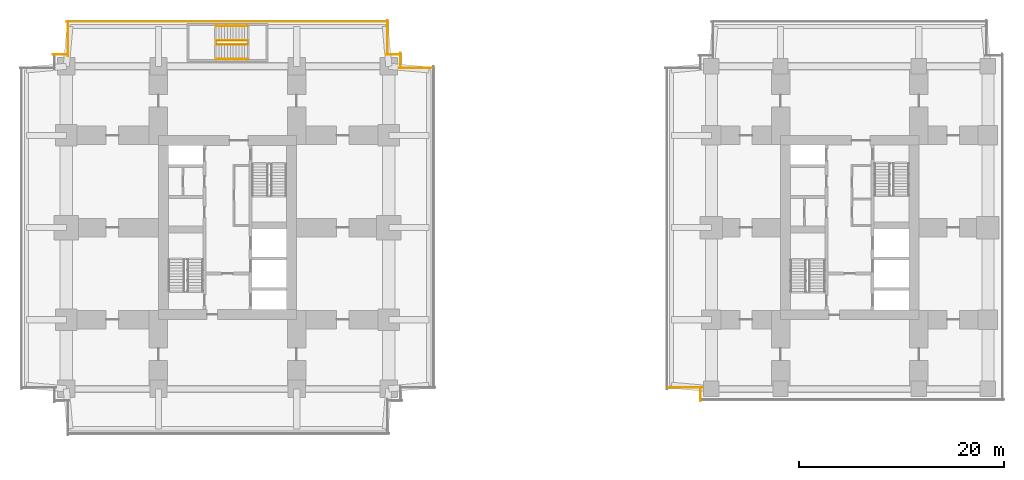
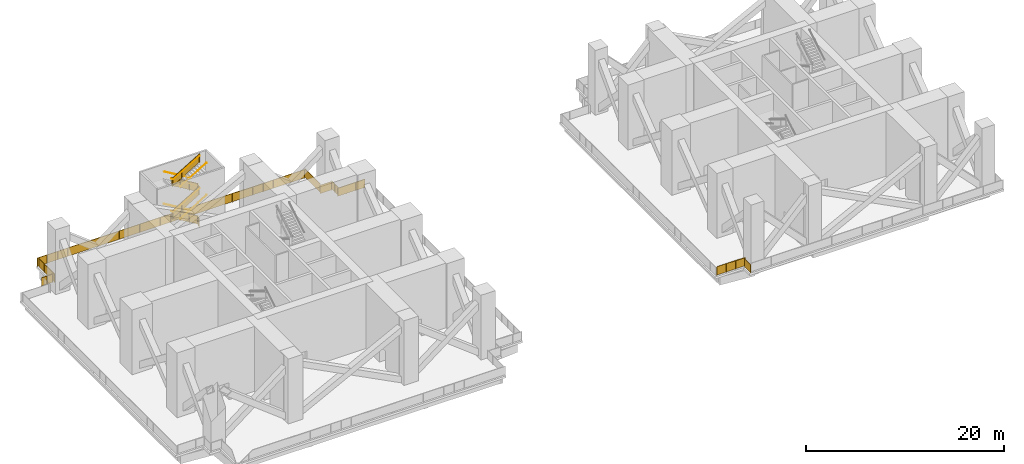
# One storey, part 9 of 11: 18 railings.
"""IFC4 building model written with IfcOpenShell, lengths in metres."""

from ifc_helpers import new_model, si_unit, direction, frame, origin, origin_2d, place, context, subcontext, project, spatial, polyline, circle, outline, extrude, material, type_object, element, save


model = new_model("IFC4")

# Units and contexts
model_context = context("Model", 3, precision=1e-05, world=origin(), true_north=direction((0.0, 1.0)))
body_context = subcontext(model_context, "Body", "Model", "MODEL_VIEW")
ifc_project = project(units=[si_unit("LENGTHUNIT", "METRE"), si_unit("AREAUNIT", "SQUARE_METRE"), si_unit("VOLUMEUNIT", "CUBIC_METRE"), si_unit("PLANEANGLEUNIT", "RADIAN"), si_unit("MASSUNIT", "GRAM", prefix="KILO")], contexts=[model_context])

# Site, building, storey
site_placement = place(None, origin())
site = spatial("IfcSite", under=ifc_project, at=site_placement, CompositionType="ELEMENT")
building_placement = place(site_placement, origin())
building = spatial("IfcBuilding", under=site, at=building_placement, Name="Namib Vertical Campus", CompositionType="ELEMENT")
storey_placement = place(building_placement, frame((0.0, 0.0, 169.0)))
storey = spatial("IfcBuildingStorey", under=building, at=storey_placement, Name="L40", CompositionType="ELEMENT", Elevation=169.0)

# Railings
ifc_material_1 = material(Name="Toughened glass balustrade", Category="glass")
railing_type_1 = type_object("IfcRailingType", Name="Edge guard 1100", PredefinedType="GUARDRAIL", material=ifc_material_1)
railing_1_placement = place(storey_placement, frame((40.199951171875, 35.85009765625, 0.0)))
element("IfcRailing", 1, at=railing_1_placement, inside=storey, type_object=railing_type_1, Name="Refuge edge guard GR2 A L40 7", PredefinedType="GUARDRAIL", context=body_context, shape_type="SweptSolid", body=[
    extrude(circle(Radius=0.02392578125, at=origin_2d()), frame((0.0, 0.0, 1.076171875), z_axis=(-1.0, 0.0, 0.0), x_axis=(0.0, -1.0, 0.0)), (0.0, 0.0, 1.0), 3.199951171875),
    extrude(outline(polyline([(0.02099609375, 0.050048828125), (3.178955078125, 0.050048828125), (3.178955078125, 1.052001953125), (0.02099609375, 1.052001953125), (0.02099609375, 0.050048828125)])), frame((0.0, -0.0107421875, 0.0), z_axis=(0.0, 1.0, 0.0), x_axis=(-1.0, 0.0, 0.0)), (0.0, 0.0, 1.0), 0.021484375),
    extrude(circle(Radius=0.02099609375, at=origin_2d()), origin(), (0.0, 0.0, 1.0), 1.052001953125),
    extrude(circle(Radius=0.02099609375, at=origin_2d()), frame((-1.066650390625, 0.0, 0.0)), (0.0, 0.0, 1.0), 1.052001953125),
    extrude(circle(Radius=0.02099609375, at=origin_2d()), frame((-2.13330078125, 0.0, 0.0)), (0.0, 0.0, 1.0), 1.052001953125),
    extrude(circle(Radius=0.02099609375, at=origin_2d()), frame((-3.199951171875, 0.0, 0.0)), (0.0, 0.0, 1.0), 1.052001953125),
])
railing_2_placement = place(storey_placement, frame((37.14990234375, 36.0, 0.0)))
element("IfcRailing", 2, at=railing_2_placement, inside=storey, type_object=railing_type_1, Name="Refuge edge guard GR2 A L40 8", PredefinedType="GUARDRAIL", context=body_context, shape_type="SweptSolid", body=[
    extrude(circle(Radius=0.02392578125, at=origin_2d()), frame((0.0, 0.0, 1.076171875), z_axis=(0.0, 1.0, 0.0), x_axis=(-1.0, 0.0, 0.0)), (0.0, 0.0, 1.0), 1.300048828125),
    extrude(outline(polyline([(0.02099609375, 0.050048828125), (1.279052734375, 0.050048828125), (1.279052734375, 1.052001953125), (0.02099609375, 1.052001953125), (0.02099609375, 0.050048828125)])), frame((-0.0107421875, 0.0, 0.0), z_axis=(1.0, 0.0, 0.0), x_axis=(0.0, 1.0, 0.0)), (0.0, 0.0, 1.0), 0.021484375),
    extrude(circle(Radius=0.02099609375, at=origin_2d()), origin(), (0.0, 0.0, 1.0), 1.052001953125),
    extrude(circle(Radius=0.02099609375, at=origin_2d()), frame((0.0, 0.64990234375, 0.0)), (0.0, 0.0, 1.0), 1.052001953125),
    extrude(circle(Radius=0.02099609375, at=origin_2d()), frame((0.0, 1.300048828125, 0.0)), (0.0, 0.0, 1.0), 1.052001953125),
])
railing_3_placement = place(storey_placement, frame((37.0, 37.14990234375, 0.0)))
element("IfcRailing", 3, at=railing_3_placement, inside=storey, type_object=railing_type_1, Name="Refuge edge guard GR2 A L40 9", PredefinedType="GUARDRAIL", context=body_context, shape_type="SweptSolid", body=[
    extrude(circle(Radius=0.02392578125, at=origin_2d()), frame((0.0, 0.0, 1.076171875), z_axis=(-1.0, 0.0, 0.0), x_axis=(0.0, -1.0, 0.0)), (0.0, 0.0, 1.0), 1.300048828125),
    extrude(outline(polyline([(0.02099609375, 0.050048828125), (1.279052734375, 0.050048828125), (1.279052734375, 1.052001953125), (0.02099609375, 1.052001953125), (0.02099609375, 0.050048828125)])), frame((0.0, -0.0107421875, 0.0), z_axis=(0.0, 1.0, 0.0), x_axis=(-1.0, 0.0, 0.0)), (0.0, 0.0, 1.0), 0.021484375),
    extrude(circle(Radius=0.02099609375, at=origin_2d()), origin(), (0.0, 0.0, 1.0), 1.052001953125),
    extrude(circle(Radius=0.02099609375, at=origin_2d()), frame((-0.64990234375, 0.0, 0.0)), (0.0, 0.0, 1.0), 1.052001953125),
    extrude(circle(Radius=0.02099609375, at=origin_2d()), frame((-1.300048828125, 0.0, 0.0)), (0.0, 0.0, 1.0), 1.052001953125),
])
railing_4_placement = place(storey_placement, frame((35.85009765625, 37.300048828125, 0.0)))
element("IfcRailing", 4, at=railing_4_placement, inside=storey, type_object=railing_type_1, Name="Refuge edge guard GR2 A L40 10", PredefinedType="GUARDRAIL", context=body_context, shape_type="SweptSolid", body=[
    extrude(circle(Radius=0.02392578125, at=origin_2d()), frame((0.0, 0.0, 1.076171875), z_axis=(0.0, 1.0, 0.0), x_axis=(-1.0, 0.0, 0.0)), (0.0, 0.0, 1.0), 3.199951171875),
    extrude(outline(polyline([(0.02099609375, 0.050048828125), (3.178955078125, 0.050048828125), (3.178955078125, 1.052001953125), (0.02099609375, 1.052001953125), (0.02099609375, 0.050048828125)])), frame((-0.0107421875, 0.0, 0.0), z_axis=(1.0, 0.0, 0.0), x_axis=(0.0, 1.0, 0.0)), (0.0, 0.0, 1.0), 0.021484375),
    extrude(circle(Radius=0.02099609375, at=origin_2d()), origin(), (0.0, 0.0, 1.0), 1.052001953125),
    extrude(circle(Radius=0.02099609375, at=origin_2d()), frame((0.0, 1.066650390625, 0.0)), (0.0, 0.0, 1.0), 1.052001953125),
    extrude(circle(Radius=0.02099609375, at=origin_2d()), frame((0.0, 2.13330078125, 0.0)), (0.0, 0.0, 1.0), 1.052001953125),
    extrude(circle(Radius=0.02099609375, at=origin_2d()), frame((0.0, 3.199951171875, 0.0)), (0.0, 0.0, 1.0), 1.052001953125),
])
railing_5_placement = place(storey_placement, frame((35.699951171875, 40.35009765625, 0.0)))
element("IfcRailing", 5, at=railing_5_placement, inside=storey, type_object=railing_type_1, Name="Refuge edge guard GR2 A L40 11", PredefinedType="GUARDRAIL", context=body_context, shape_type="SweptSolid", body=[
    extrude(circle(Radius=0.02392578125, at=origin_2d()), frame((0.0, 0.0, 1.076171875), z_axis=(-1.0, 0.0, 0.0), x_axis=(0.0, -1.0, 0.0)), (0.0, 0.0, 1.0), 31.199951171875),
    extrude(outline(polyline([(0.02099609375, 0.050048828125), (31.178955078125, 0.050048828125), (31.178955078125, 1.052001953125), (0.02099609375, 1.052001953125), (0.02099609375, 0.050048828125)])), frame((0.0, -0.0107421875, 0.0), z_axis=(0.0, 1.0, 0.0), x_axis=(-1.0, 0.0, 0.0)), (0.0, 0.0, 1.0), 0.021484375),
    extrude(circle(Radius=0.02099609375, at=origin_2d()), origin(), (0.0, 0.0, 1.0), 1.052001953125),
    extrude(circle(Radius=0.02099609375, at=origin_2d()), frame((-1.199951171875, 0.0, 0.0)), (0.0, 0.0, 1.0), 1.052001953125),
    extrude(circle(Radius=0.02099609375, at=origin_2d()), frame((-2.39990234375, 0.0, 0.0)), (0.0, 0.0, 1.0), 1.052001953125),
    extrude(circle(Radius=0.02099609375, at=origin_2d()), frame((-3.60009765625, 0.0, 0.0)), (0.0, 0.0, 1.0), 1.052001953125),
    extrude(circle(Radius=0.02099609375, at=origin_2d()), frame((-4.800048828125, 0.0, 0.0)), (0.0, 0.0, 1.0), 1.052001953125),
    extrude(circle(Radius=0.02099609375, at=origin_2d()), frame((-6.0, 0.0, 0.0)), (0.0, 0.0, 1.0), 1.052001953125),
    extrude(circle(Radius=0.02099609375, at=origin_2d()), frame((-7.199951171875, 0.0, 0.0)), (0.0, 0.0, 1.0), 1.052001953125),
    extrude(circle(Radius=0.02099609375, at=origin_2d()), frame((-8.39990234375, 0.0, 0.0)), (0.0, 0.0, 1.0), 1.052001953125),
    extrude(circle(Radius=0.02099609375, at=origin_2d()), frame((-9.60009765625, 0.0, 0.0)), (0.0, 0.0, 1.0), 1.052001953125),
    extrude(circle(Radius=0.02099609375, at=origin_2d()), frame((-10.800048828125, 0.0, 0.0)), (0.0, 0.0, 1.0), 1.052001953125),
    extrude(circle(Radius=0.02099609375, at=origin_2d()), frame((-12.0, 0.0, 0.0)), (0.0, 0.0, 1.0), 1.052001953125),
    extrude(circle(Radius=0.02099609375, at=origin_2d()), frame((-13.199951171875, 0.0, 0.0)), (0.0, 0.0, 1.0), 1.052001953125),
    extrude(circle(Radius=0.02099609375, at=origin_2d()), frame((-14.39990234375, 0.0, 0.0)), (0.0, 0.0, 1.0), 1.052001953125),
    extrude(circle(Radius=0.02099609375, at=origin_2d()), frame((-15.60009765625, 0.0, 0.0)), (0.0, 0.0, 1.0), 1.052001953125),
    extrude(circle(Radius=0.02099609375, at=origin_2d()), frame((-16.800048828125, 0.0, 0.0)), (0.0, 0.0, 1.0), 1.052001953125),
    extrude(circle(Radius=0.02099609375, at=origin_2d()), frame((-18.0, 0.0, 0.0)), (0.0, 0.0, 1.0), 1.052001953125),
    extrude(circle(Radius=0.02099609375, at=origin_2d()), frame((-19.199951171875, 0.0, 0.0)), (0.0, 0.0, 1.0), 1.052001953125),
    extrude(circle(Radius=0.02099609375, at=origin_2d()), frame((-20.39990234375, 0.0, 0.0)), (0.0, 0.0, 1.0), 1.052001953125),
    extrude(circle(Radius=0.02099609375, at=origin_2d()), frame((-21.599853515625, 0.0, 0.0)), (0.0, 0.0, 1.0), 1.052001953125),
    extrude(circle(Radius=0.02099609375, at=origin_2d()), frame((-22.800048828125, 0.0, 0.0)), (0.0, 0.0, 1.0), 1.052001953125),
    extrude(circle(Radius=0.02099609375, at=origin_2d()), frame((-24.0, 0.0, 0.0)), (0.0, 0.0, 1.0), 1.052001953125),
    extrude(circle(Radius=0.02099609375, at=origin_2d()), frame((-25.199951171875, 0.0, 0.0)), (0.0, 0.0, 1.0), 1.052001953125),
    extrude(circle(Radius=0.02099609375, at=origin_2d()), frame((-26.39990234375, 0.0, 0.0)), (0.0, 0.0, 1.0), 1.052001953125),
    extrude(circle(Radius=0.02099609375, at=origin_2d()), frame((-27.599853515625, 0.0, 0.0)), (0.0, 0.0, 1.0), 1.052001953125),
    extrude(circle(Radius=0.02099609375, at=origin_2d()), frame((-28.800048828125, 0.0, 0.0)), (0.0, 0.0, 1.0), 1.052001953125),
    extrude(circle(Radius=0.02099609375, at=origin_2d()), frame((-30.0, 0.0, 0.0)), (0.0, 0.0, 1.0), 1.052001953125),
    extrude(circle(Radius=0.02099609375, at=origin_2d()), frame((-31.199951171875, 0.0, 0.0)), (0.0, 0.0, 1.0), 1.052001953125),
])
railing_6_placement = place(storey_placement, frame((4.64990234375, 40.199951171875, 0.0)))
element("IfcRailing", 6, at=railing_6_placement, inside=storey, type_object=railing_type_1, Name="Refuge edge guard GR2 A L40 12", PredefinedType="GUARDRAIL", context=body_context, shape_type="SweptSolid", body=[
    extrude(circle(Radius=0.02392578125, at=origin_2d()), frame((0.0, 0.0, 1.076171875), z_axis=(0.0, -1.0, 0.0), x_axis=(1.0, 0.0, 0.0)), (0.0, 0.0, 1.0), 3.199951171875),
    extrude(outline(polyline([(0.02099609375, 0.050048828125), (3.178955078125, 0.050048828125), (3.178955078125, 1.052001953125), (0.02099609375, 1.052001953125), (0.02099609375, 0.050048828125)])), frame((0.0107421875, 0.0, 0.0), z_axis=(-1.0, 0.0, 0.0), x_axis=(0.0, -1.0, 0.0)), (0.0, 0.0, 1.0), 0.021484375),
    extrude(circle(Radius=0.02099609375, at=origin_2d()), origin(), (0.0, 0.0, 1.0), 1.052001953125),
    extrude(circle(Radius=0.02099609375, at=origin_2d()), frame((0.0, -1.066650390625, 0.0)), (0.0, 0.0, 1.0), 1.052001953125),
    extrude(circle(Radius=0.02099609375, at=origin_2d()), frame((0.0, -2.13330078125, 0.0)), (0.0, 0.0, 1.0), 1.052001953125),
    extrude(circle(Radius=0.02099609375, at=origin_2d()), frame((0.0, -3.199951171875, 0.0)), (0.0, 0.0, 1.0), 1.052001953125),
])
railing_7_placement = place(storey_placement, frame((4.5, 37.14990234375, 0.0)))
element("IfcRailing", 7, at=railing_7_placement, inside=storey, type_object=railing_type_1, Name="Refuge edge guard GR2 A L40 13", PredefinedType="GUARDRAIL", context=body_context, shape_type="SweptSolid", body=[
    extrude(circle(Radius=0.02392578125, at=origin_2d()), frame((0.0, 0.0, 1.076171875), z_axis=(-1.0, 0.0, 0.0), x_axis=(0.0, -1.0, 0.0)), (0.0, 0.0, 1.0), 1.300048828125),
    extrude(outline(polyline([(0.02099609375, 0.050048828125), (1.279052734375, 0.050048828125), (1.279052734375, 1.052001953125), (0.02099609375, 1.052001953125), (0.02099609375, 0.050048828125)])), frame((0.0, -0.0107421875, 0.0), z_axis=(0.0, 1.0, 0.0), x_axis=(-1.0, 0.0, 0.0)), (0.0, 0.0, 1.0), 0.021484375),
    extrude(circle(Radius=0.02099609375, at=origin_2d()), origin(), (0.0, 0.0, 1.0), 1.052001953125),
    extrude(circle(Radius=0.02099609375, at=origin_2d()), frame((-0.64990234375, 0.0, 0.0)), (0.0, 0.0, 1.0), 1.052001953125),
    extrude(circle(Radius=0.02099609375, at=origin_2d()), frame((-1.300048828125, 0.0, 0.0)), (0.0, 0.0, 1.0), 1.052001953125),
])
railing_8_placement = place(storey_placement, frame((63.300048828125, 4.64990234375, 0.0)))
element("IfcRailing", 8, at=railing_8_placement, inside=storey, type_object=railing_type_1, Name="Refuge edge guard GR2 B L40 1", PredefinedType="GUARDRAIL", context=body_context, shape_type="SweptSolid", body=[
    extrude(circle(Radius=0.02392578125, at=origin_2d()), frame((0.0, 0.0, 1.076171875), z_axis=(1.0, 0.0, 0.0), x_axis=(0.0, 1.0, 0.0)), (0.0, 0.0, 1.0), 3.300048828125),
    extrude(outline(polyline([(0.02099609375, 0.050048828125), (3.279052734375, 0.050048828125), (3.279052734375, 1.052001953125), (0.02099609375, 1.052001953125), (0.02099609375, 0.050048828125)])), frame((0.0, 0.0107421875, 0.0), z_axis=(0.0, -1.0, 0.0), x_axis=(1.0, 0.0, 0.0)), (0.0, 0.0, 1.0), 0.021484375),
    extrude(circle(Radius=0.02099609375, at=origin_2d()), origin(), (0.0, 0.0, 1.0), 1.052001953125),
    extrude(circle(Radius=0.02099609375, at=origin_2d()), frame((1.10009765625, 0.0, 0.0)), (0.0, 0.0, 1.0), 1.052001953125),
    extrude(circle(Radius=0.02099609375, at=origin_2d()), frame((2.199951171875, 0.0, 0.0)), (0.0, 0.0, 1.0), 1.052001953125),
    extrude(circle(Radius=0.02099609375, at=origin_2d()), frame((3.300048828125, 0.0, 0.0)), (0.0, 0.0, 1.0), 1.052001953125),
])
railing_9_placement = place(storey_placement, frame((66.449951171875, 4.5, 0.0)))
element("IfcRailing", 9, at=railing_9_placement, inside=storey, type_object=railing_type_1, Name="Refuge edge guard GR2 B L40 2", PredefinedType="GUARDRAIL", context=body_context, shape_type="SweptSolid", body=[
    extrude(circle(Radius=0.02392578125, at=origin_2d()), frame((0.0, 0.0, 1.076171875), z_axis=(0.0, -1.0, 0.0), x_axis=(1.0, 0.0, 0.0)), (0.0, 0.0, 1.0), 1.199951171875),
    extrude(outline(polyline([(0.02099609375, 0.050048828125), (1.178955078125, 0.050048828125), (1.178955078125, 1.052001953125), (0.02099609375, 1.052001953125), (0.02099609375, 0.050048828125)])), frame((0.0107421875, 0.0, 0.0), z_axis=(-1.0, 0.0, 0.0), x_axis=(0.0, -1.0, 0.0)), (0.0, 0.0, 1.0), 0.021484375),
    extrude(circle(Radius=0.02099609375, at=origin_2d()), origin(), (0.0, 0.0, 1.0), 1.052001953125),
    extrude(circle(Radius=0.02099609375, at=origin_2d()), frame((0.0, -1.199951171875, 0.0)), (0.0, 0.0, 1.0), 1.052001953125),
])
ifc_material_2 = material(Name="Steel handrail", Category="steel")
railing_type_2 = type_object("IfcRailingType", Name="Handrail 900", PredefinedType="HANDRAIL", material=ifc_material_2)
railing_10_placement = place(storey_placement, frame((22.199951171875, 39.949951171875, 0.166748046875)))
element("IfcRailing", 10, at=railing_10_placement, inside=storey, type_object=railing_type_2, Name="Handrail HR1 A-S3 L40 1", PredefinedType="HANDRAIL", context=body_context, shape_type="SweptSolid", body=[
    extrude(circle(Radius=0.02392578125, at=origin_2d()), frame((0.0, 0.0, 0.8759765625), z_axis=(-0.859290745958, 0.0, 0.51148745235), x_axis=(0.0, -1.0, 0.0)), (0.0, 0.0, 1.0), 3.584228515625),
    extrude(circle(Radius=0.008056640625, at=origin_2d()), frame((0.0, 0.0, 0.8759765625), z_axis=(0.0, 1.0, 0.0), x_axis=(0.0, 0.0, 1.0)), (0.0, 0.0, 1.0), 0.050048828125),
    extrude(circle(Radius=0.008056640625, at=origin_2d()), frame((-1.026611328125, 0.0, 1.48681640625), z_axis=(0.0, 1.0, 0.0), x_axis=(0.0, 0.0, 1.0)), (0.0, 0.0, 1.0), 0.050048828125),
    extrude(circle(Radius=0.008056640625, at=origin_2d()), frame((-2.05322265625, 0.0, 2.09814453125), z_axis=(0.0, 1.0, 0.0), x_axis=(0.0, 0.0, 1.0)), (0.0, 0.0, 1.0), 0.050048828125),
    extrude(circle(Radius=0.008056640625, at=origin_2d()), frame((-3.079833984375, 0.0, 2.708984375), z_axis=(0.0, 1.0, 0.0), x_axis=(0.0, 0.0, 1.0)), (0.0, 0.0, 1.0), 0.050048828125),
])
railing_11_placement = place(storey_placement, frame((19.1201171875, 36.699951171875, 2.166748046875)))
element("IfcRailing", 11, at=railing_11_placement, inside=storey, type_object=railing_type_2, Name="Handrail HR1 A-S3 L40 2", PredefinedType="HANDRAIL", context=body_context, shape_type="SweptSolid", body=[
    extrude(circle(Radius=0.02392578125, at=origin_2d()), frame((0.0, 0.0, 0.8759765625), z_axis=(0.859290745958, 0.0, 0.51148745235), x_axis=(0.0, 1.0, 0.0)), (0.0, 0.0, 1.0), 3.584228515625),
    extrude(circle(Radius=0.008056640625, at=origin_2d()), frame((0.0, 0.0, 0.8759765625), z_axis=(0.0, -1.0, 0.0), x_axis=(0.0, 0.0, 1.0)), (0.0, 0.0, 1.0), 0.050048828125),
    extrude(circle(Radius=0.008056640625, at=origin_2d()), frame((1.026611328125, 0.0, 1.48681640625), z_axis=(0.0, -1.0, 0.0), x_axis=(0.0, 0.0, 1.0)), (0.0, 0.0, 1.0), 0.050048828125),
    extrude(circle(Radius=0.008056640625, at=origin_2d()), frame((2.05322265625, 0.0, 2.09814453125), z_axis=(0.0, -1.0, 0.0), x_axis=(0.0, 0.0, 1.0)), (0.0, 0.0, 1.0), 0.050048828125),
    extrude(circle(Radius=0.008056640625, at=origin_2d()), frame((3.079833984375, 0.0, 2.708984375), z_axis=(0.0, -1.0, 0.0), x_axis=(0.0, 0.0, 1.0)), (0.0, 0.0, 1.0), 0.050048828125),
])
railing_12_placement = place(storey_placement, frame((22.199951171875, 39.949951171875, 4.166748046875)))
element("IfcRailing", 12, at=railing_12_placement, inside=storey, type_object=railing_type_2, Name="Handrail HR1 A-S3 L40 3", PredefinedType="HANDRAIL", context=body_context, shape_type="SweptSolid", body=[
    extrude(circle(Radius=0.02392578125, at=origin_2d()), frame((0.0, 0.0, 0.8759765625), z_axis=(-0.859290745958, 0.0, 0.51148745235), x_axis=(0.0, -1.0, 0.0)), (0.0, 0.0, 1.0), 3.584228515625),
    extrude(circle(Radius=0.008056640625, at=origin_2d()), frame((0.0, 0.0, 0.8759765625), z_axis=(0.0, 1.0, 0.0), x_axis=(0.0, 0.0, 1.0)), (0.0, 0.0, 1.0), 0.050048828125),
    extrude(circle(Radius=0.008056640625, at=origin_2d()), frame((-1.026611328125, 0.0, 1.48681640625), z_axis=(0.0, 1.0, 0.0), x_axis=(0.0, 0.0, 1.0)), (0.0, 0.0, 1.0), 0.050048828125),
    extrude(circle(Radius=0.008056640625, at=origin_2d()), frame((-2.05322265625, 0.0, 2.09814453125), z_axis=(0.0, 1.0, 0.0), x_axis=(0.0, 0.0, 1.0)), (0.0, 0.0, 1.0), 0.050048828125),
    extrude(circle(Radius=0.008056640625, at=origin_2d()), frame((-3.079833984375, 0.0, 2.708984375), z_axis=(0.0, 1.0, 0.0), x_axis=(0.0, 0.0, 1.0)), (0.0, 0.0, 1.0), 0.050048828125),
])
railing_13_placement = place(storey_placement, frame((19.1201171875, 36.699951171875, 6.166748046875)))
element("IfcRailing", 13, at=railing_13_placement, inside=storey, type_object=railing_type_2, Name="Handrail HR1 A-S3 L40 4", PredefinedType="HANDRAIL", context=body_context, shape_type="SweptSolid", body=[
    extrude(circle(Radius=0.02392578125, at=origin_2d()), frame((0.0, 0.0, 0.8759765625), z_axis=(0.859290745958, 0.0, 0.51148745235), x_axis=(0.0, 1.0, 0.0)), (0.0, 0.0, 1.0), 3.584228515625),
    extrude(circle(Radius=0.008056640625, at=origin_2d()), frame((0.0, 0.0, 0.8759765625), z_axis=(0.0, -1.0, 0.0), x_axis=(0.0, 0.0, 1.0)), (0.0, 0.0, 1.0), 0.050048828125),
    extrude(circle(Radius=0.008056640625, at=origin_2d()), frame((1.026611328125, 0.0, 1.48681640625), z_axis=(0.0, -1.0, 0.0), x_axis=(0.0, 0.0, 1.0)), (0.0, 0.0, 1.0), 0.050048828125),
    extrude(circle(Radius=0.008056640625, at=origin_2d()), frame((2.05322265625, 0.0, 2.09814453125), z_axis=(0.0, -1.0, 0.0), x_axis=(0.0, 0.0, 1.0)), (0.0, 0.0, 1.0), 0.050048828125),
    extrude(circle(Radius=0.008056640625, at=origin_2d()), frame((3.079833984375, 0.0, 2.708984375), z_axis=(0.0, -1.0, 0.0), x_axis=(0.0, 0.0, 1.0)), (0.0, 0.0, 1.0), 0.050048828125),
])
railing_14_placement = place(storey_placement, frame((22.199951171875, 38.52490234375, 0.166748046875)))
element("IfcRailing", 14, at=railing_14_placement, inside=storey, type_object=railing_type_2, Name="Handrail HR1 A-S3 L40 1 at the well", PredefinedType="HANDRAIL", context=body_context, shape_type="SweptSolid", body=[
    extrude(circle(Radius=0.02392578125, at=origin_2d()), frame((0.0, 0.0, 0.8759765625), z_axis=(-0.859290745958, 0.0, 0.51148745235), x_axis=(0.0, -1.0, 0.0)), (0.0, 0.0, 1.0), 3.584228515625),
    extrude(circle(Radius=0.008056640625, at=origin_2d()), frame((0.0, 0.0, 0.8759765625), z_axis=(0.0, -1.0, 0.0), x_axis=(0.0, 0.0, 1.0)), (0.0, 0.0, 1.0), 0.0400390625),
    extrude(circle(Radius=0.008056640625, at=origin_2d()), frame((-1.026611328125, 0.0, 1.48681640625), z_axis=(0.0, -1.0, 0.0), x_axis=(0.0, 0.0, 1.0)), (0.0, 0.0, 1.0), 0.0400390625),
    extrude(circle(Radius=0.008056640625, at=origin_2d()), frame((-2.05322265625, 0.0, 2.09814453125), z_axis=(0.0, -1.0, 0.0), x_axis=(0.0, 0.0, 1.0)), (0.0, 0.0, 1.0), 0.0400390625),
    extrude(circle(Radius=0.008056640625, at=origin_2d()), frame((-3.079833984375, 0.0, 2.708984375), z_axis=(0.0, -1.0, 0.0), x_axis=(0.0, 0.0, 1.0)), (0.0, 0.0, 1.0), 0.0400390625),
])
railing_15_placement = place(storey_placement, frame((19.1201171875, 38.125, 2.166748046875)))
element("IfcRailing", 15, at=railing_15_placement, inside=storey, type_object=railing_type_2, Name="Handrail HR1 A-S3 L40 2 at the well", PredefinedType="HANDRAIL", context=body_context, shape_type="SweptSolid", body=[
    extrude(circle(Radius=0.02392578125, at=origin_2d()), frame((0.0, 0.0, 0.8759765625), z_axis=(0.859290745958, 0.0, 0.51148745235), x_axis=(0.0, 1.0, 0.0)), (0.0, 0.0, 1.0), 3.584228515625),
    extrude(circle(Radius=0.008056640625, at=origin_2d()), frame((0.0, 0.0, 0.8759765625), z_axis=(0.0, 1.0, 0.0), x_axis=(0.0, 0.0, 1.0)), (0.0, 0.0, 1.0), 0.0400390625),
    extrude(circle(Radius=0.008056640625, at=origin_2d()), frame((1.026611328125, 0.0, 1.48681640625), z_axis=(0.0, 1.0, 0.0), x_axis=(0.0, 0.0, 1.0)), (0.0, 0.0, 1.0), 0.0400390625),
    extrude(circle(Radius=0.008056640625, at=origin_2d()), frame((2.05322265625, 0.0, 2.09814453125), z_axis=(0.0, 1.0, 0.0), x_axis=(0.0, 0.0, 1.0)), (0.0, 0.0, 1.0), 0.0400390625),
    extrude(circle(Radius=0.008056640625, at=origin_2d()), frame((3.079833984375, 0.0, 2.708984375), z_axis=(0.0, 1.0, 0.0), x_axis=(0.0, 0.0, 1.0)), (0.0, 0.0, 1.0), 0.0400390625),
])
railing_16_placement = place(storey_placement, frame((22.199951171875, 38.52490234375, 4.166748046875)))
element("IfcRailing", 16, at=railing_16_placement, inside=storey, type_object=railing_type_2, Name="Handrail HR1 A-S3 L40 3 at the well", PredefinedType="HANDRAIL", context=body_context, shape_type="SweptSolid", body=[
    extrude(circle(Radius=0.02392578125, at=origin_2d()), frame((0.0, 0.0, 0.8759765625), z_axis=(-0.859290745958, 0.0, 0.51148745235), x_axis=(0.0, -1.0, 0.0)), (0.0, 0.0, 1.0), 3.584228515625),
    extrude(circle(Radius=0.008056640625, at=origin_2d()), frame((0.0, 0.0, 0.8759765625), z_axis=(0.0, -1.0, 0.0), x_axis=(0.0, 0.0, 1.0)), (0.0, 0.0, 1.0), 0.0400390625),
    extrude(circle(Radius=0.008056640625, at=origin_2d()), frame((-1.026611328125, 0.0, 1.48681640625), z_axis=(0.0, -1.0, 0.0), x_axis=(0.0, 0.0, 1.0)), (0.0, 0.0, 1.0), 0.0400390625),
    extrude(circle(Radius=0.008056640625, at=origin_2d()), frame((-2.05322265625, 0.0, 2.09814453125), z_axis=(0.0, -1.0, 0.0), x_axis=(0.0, 0.0, 1.0)), (0.0, 0.0, 1.0), 0.0400390625),
    extrude(circle(Radius=0.008056640625, at=origin_2d()), frame((-3.079833984375, 0.0, 2.708984375), z_axis=(0.0, -1.0, 0.0), x_axis=(0.0, 0.0, 1.0)), (0.0, 0.0, 1.0), 0.0400390625),
])
railing_17_placement = place(storey_placement, frame((19.1201171875, 38.125, 6.166748046875)))
element("IfcRailing", 17, at=railing_17_placement, inside=storey, type_object=railing_type_2, Name="Handrail HR1 A-S3 L40 4 at the well", PredefinedType="HANDRAIL", context=body_context, shape_type="SweptSolid", body=[
    extrude(circle(Radius=0.02392578125, at=origin_2d()), frame((0.0, 0.0, 0.8759765625), z_axis=(0.859290745958, 0.0, 0.51148745235), x_axis=(0.0, 1.0, 0.0)), (0.0, 0.0, 1.0), 3.584228515625),
    extrude(circle(Radius=0.008056640625, at=origin_2d()), frame((0.0, 0.0, 0.8759765625), z_axis=(0.0, 1.0, 0.0), x_axis=(0.0, 0.0, 1.0)), (0.0, 0.0, 1.0), 0.0400390625),
    extrude(circle(Radius=0.008056640625, at=origin_2d()), frame((1.026611328125, 0.0, 1.48681640625), z_axis=(0.0, 1.0, 0.0), x_axis=(0.0, 0.0, 1.0)), (0.0, 0.0, 1.0), 0.0400390625),
    extrude(circle(Radius=0.008056640625, at=origin_2d()), frame((2.05322265625, 0.0, 2.09814453125), z_axis=(0.0, 1.0, 0.0), x_axis=(0.0, 0.0, 1.0)), (0.0, 0.0, 1.0), 0.0400390625),
    extrude(circle(Radius=0.008056640625, at=origin_2d()), frame((3.079833984375, 0.0, 2.708984375), z_axis=(0.0, 1.0, 0.0), x_axis=(0.0, 0.0, 1.0)), (0.0, 0.0, 1.0), 0.0400390625),
])
ifc_material_3 = material(Name="Steel balustrade", Category="steel")
railing_type_3 = type_object("IfcRailingType", Name="Stair guard 1100", PredefinedType="GUARDRAIL", material=ifc_material_3)
railing_18_placement = place(storey_placement, frame((22.199951171875, 38.175048828125, 0.0)))
element("IfcRailing", 18, at=railing_18_placement, inside=storey, type_object=railing_type_3, Name="Stair guard GR1 A-S3 L40", PredefinedType="GUARDRAIL", context=body_context, shape_type="SweptSolid", body=[
    extrude(circle(Radius=0.02392578125, at=origin_2d()), frame((0.0, 0.0, 1.076171875), z_axis=(0.0, 1.0, 0.0), x_axis=(-1.0, 0.0, 0.0)), (0.0, 0.0, 1.0), 0.300048828125),
    extrude(outline(polyline([(0.02099609375, 0.050048828125), (0.279052734375, 0.050048828125), (0.279052734375, 1.052001953125), (0.02099609375, 1.052001953125), (0.02099609375, 0.050048828125)])), frame((-0.010009765625, 0.0, 0.0), z_axis=(1.0, 0.0, 0.0), x_axis=(0.0, 1.0, 0.0)), (0.0, 0.0, 1.0), 0.02001953125),
    extrude(circle(Radius=0.02392578125, at=origin_2d()), frame((0.0, 0.300048828125, 1.076171875), z_axis=(0.0, 0.0, 1.0), x_axis=(1.0, 0.0, 0.0)), (0.0, 0.0, 1.0), 0.166748046875),
    extrude(circle(Radius=0.02392578125, at=origin_2d()), frame((0.0, 0.300048828125, 1.24267578125), z_axis=(-0.859290745958, 0.0, 0.51148745235), x_axis=(0.0, -1.0, 0.0)), (0.0, 0.0, 1.0), 3.584228515625),
    extrude(outline(polyline([(0.02099609375, 0.0625), (3.058837890625, 1.870849609375), (3.058837890625, 2.872802734375), (0.02099609375, 1.064453125), (0.02099609375, 0.0625)])), frame((0.0, 0.2900390625, 0.166748046875), z_axis=(0.0, 1.0, 0.0), x_axis=(-1.0, 0.0, 0.0)), (0.0, 0.0, 1.0), 0.02001953125),
    extrude(circle(Radius=0.02392578125, at=origin_2d()), frame((-3.079833984375, 0.300048828125, 3.076171875), z_axis=(0.0, -1.0, 0.0), x_axis=(1.0, 0.0, 0.0)), (0.0, 0.0, 1.0), 0.300048828125),
    extrude(outline(polyline([(0.02099609375, 0.050048828125), (0.279052734375, 0.050048828125), (0.279052734375, 1.052001953125), (0.02099609375, 1.052001953125), (0.02099609375, 0.050048828125)])), frame((-3.06982421875, 0.300048828125, 2.0), z_axis=(-1.0, 0.0, 0.0), x_axis=(0.0, -1.0, 0.0)), (0.0, 0.0, 1.0), 0.02001953125),
    extrude(circle(Radius=0.02392578125, at=origin_2d()), frame((-3.079833984375, 0.0, 3.076171875), z_axis=(0.0, 0.0, 1.0), x_axis=(1.0, 0.0, 0.0)), (0.0, 0.0, 1.0), 0.166748046875),
    extrude(circle(Radius=0.02392578125, at=origin_2d()), frame((-3.079833984375, 0.0, 3.24267578125), z_axis=(0.859290745958, 0.0, 0.51148745235), x_axis=(0.0, 1.0, 0.0)), (0.0, 0.0, 1.0), 3.584228515625),
    extrude(outline(polyline([(0.02099609375, 0.0625), (3.058837890625, 1.870849609375), (3.058837890625, 2.872802734375), (0.02099609375, 1.064453125), (0.02099609375, 0.0625)])), frame((-3.079833984375, 0.010009765625, 2.166748046875), z_axis=(0.0, -1.0, 0.0), x_axis=(1.0, 0.0, 0.0)), (0.0, 0.0, 1.0), 0.02001953125),
    extrude(circle(Radius=0.02392578125, at=origin_2d()), frame((0.0, 0.0, 5.076171875), z_axis=(0.0, 1.0, 0.0), x_axis=(-1.0, 0.0, 0.0)), (0.0, 0.0, 1.0), 0.300048828125),
    extrude(outline(polyline([(0.02099609375, 0.050048828125), (0.279052734375, 0.050048828125), (0.279052734375, 1.052001953125), (0.02099609375, 1.052001953125), (0.02099609375, 0.050048828125)])), frame((-0.010009765625, 0.0, 4.0), z_axis=(1.0, 0.0, 0.0), x_axis=(0.0, 1.0, 0.0)), (0.0, 0.0, 1.0), 0.02001953125),
    extrude(circle(Radius=0.02392578125, at=origin_2d()), frame((0.0, 0.300048828125, 5.076171875), z_axis=(0.0, 0.0, 1.0), x_axis=(1.0, 0.0, 0.0)), (0.0, 0.0, 1.0), 0.166748046875),
    extrude(circle(Radius=0.02392578125, at=origin_2d()), frame((0.0, 0.300048828125, 5.24267578125), z_axis=(-0.859290745958, 0.0, 0.51148745235), x_axis=(0.0, -1.0, 0.0)), (0.0, 0.0, 1.0), 3.584228515625),
    extrude(outline(polyline([(0.02099609375, 0.0625), (3.058837890625, 1.870849609375), (3.058837890625, 2.872802734375), (0.02099609375, 1.064453125), (0.02099609375, 0.0625)])), frame((0.0, 0.2900390625, 4.166748046875), z_axis=(0.0, 1.0, 0.0), x_axis=(-1.0, 0.0, 0.0)), (0.0, 0.0, 1.0), 0.02001953125),
    extrude(circle(Radius=0.02392578125, at=origin_2d()), frame((-3.079833984375, 0.300048828125, 7.076171875), z_axis=(0.0, -1.0, 0.0), x_axis=(1.0, 0.0, 0.0)), (0.0, 0.0, 1.0), 0.300048828125),
    extrude(outline(polyline([(0.02099609375, 0.050048828125), (0.279052734375, 0.050048828125), (0.279052734375, 1.052001953125), (0.02099609375, 1.052001953125), (0.02099609375, 0.050048828125)])), frame((-3.06982421875, 0.300048828125, 6.0), z_axis=(-1.0, 0.0, 0.0), x_axis=(0.0, -1.0, 0.0)), (0.0, 0.0, 1.0), 0.02001953125),
    extrude(circle(Radius=0.02392578125, at=origin_2d()), frame((-3.079833984375, 0.0, 7.076171875), z_axis=(0.0, 0.0, 1.0), x_axis=(1.0, 0.0, 0.0)), (0.0, 0.0, 1.0), 0.166748046875),
    extrude(circle(Radius=0.02392578125, at=origin_2d()), frame((-3.079833984375, 0.0, 7.24267578125), z_axis=(0.859290745958, 0.0, 0.51148745235), x_axis=(0.0, 1.0, 0.0)), (0.0, 0.0, 1.0), 3.584228515625),
    extrude(outline(polyline([(0.02099609375, 0.0625), (3.058837890625, 1.870849609375), (3.058837890625, 2.872802734375), (0.02099609375, 1.064453125), (0.02099609375, 0.0625)])), frame((-3.079833984375, 0.010009765625, 6.166748046875), z_axis=(0.0, -1.0, 0.0), x_axis=(1.0, 0.0, 0.0)), (0.0, 0.0, 1.0), 0.02001953125),
    extrude(circle(Radius=0.02392578125, at=origin_2d()), frame((0.0, 0.0, 9.076171875), z_axis=(1.0, 0.0, 0.0), x_axis=(0.0, 1.0, 0.0)), (0.0, 0.0, 1.0), 0.050048828125),
    extrude(outline(polyline([(0.02099609375, 0.050048828125), (0.029052734375, 0.050048828125), (0.029052734375, 1.052001953125), (0.02099609375, 1.052001953125), (0.02099609375, 0.050048828125)])), frame((0.0, 0.010009765625, 8.0), z_axis=(0.0, -1.0, 0.0), x_axis=(1.0, 0.0, 0.0)), (0.0, 0.0, 1.0), 0.02001953125),
    extrude(circle(Radius=0.02099609375, at=origin_2d()), origin(), (0.0, 0.0, 1.0), 1.052001953125),
    extrude(circle(Radius=0.02099609375, at=origin_2d()), frame((0.0, 0.300048828125, 0.166748046875)), (0.0, 0.0, 1.0), 1.052001953125),
    extrude(circle(Radius=0.02099609375, at=origin_2d()), frame((-1.026611328125, 0.300048828125, 0.666748046875)), (0.0, 0.0, 1.0), 1.1630859375),
    extrude(circle(Radius=0.02099609375, at=origin_2d()), frame((-2.05322265625, 0.300048828125, 1.33349609375)), (0.0, 0.0, 1.0), 1.107421875),
    extrude(circle(Radius=0.02099609375, at=origin_2d()), frame((-3.079833984375, 0.300048828125, 2.0)), (0.0, 0.0, 1.0), 1.052001953125),
    extrude(circle(Radius=0.02099609375, at=origin_2d()), frame((-3.079833984375, 0.0, 2.166748046875)), (0.0, 0.0, 1.0), 1.052001953125),
    extrude(circle(Radius=0.02099609375, at=origin_2d()), frame((-2.05322265625, 0.0, 2.666748046875)), (0.0, 0.0, 1.0), 1.1630859375),
    extrude(circle(Radius=0.02099609375, at=origin_2d()), frame((-1.026611328125, 0.0, 3.33349609375)), (0.0, 0.0, 1.0), 1.107421875),
    extrude(circle(Radius=0.02099609375, at=origin_2d()), frame((0.0, 0.0, 4.0)), (0.0, 0.0, 1.0), 1.052001953125),
    extrude(circle(Radius=0.02099609375, at=origin_2d()), frame((0.0, 0.300048828125, 4.166748046875)), (0.0, 0.0, 1.0), 1.052001953125),
    extrude(circle(Radius=0.02099609375, at=origin_2d()), frame((-1.026611328125, 0.300048828125, 4.666748046875)), (0.0, 0.0, 1.0), 1.1630859375),
    extrude(circle(Radius=0.02099609375, at=origin_2d()), frame((-2.05322265625, 0.300048828125, 5.33349609375)), (0.0, 0.0, 1.0), 1.107421875),
    extrude(circle(Radius=0.02099609375, at=origin_2d()), frame((-3.079833984375, 0.300048828125, 6.0)), (0.0, 0.0, 1.0), 1.052001953125),
    extrude(circle(Radius=0.02099609375, at=origin_2d()), frame((-3.079833984375, 0.0, 6.166748046875)), (0.0, 0.0, 1.0), 1.052001953125),
    extrude(circle(Radius=0.02099609375, at=origin_2d()), frame((-2.05322265625, 0.0, 6.666748046875)), (0.0, 0.0, 1.0), 1.1630859375),
    extrude(circle(Radius=0.02099609375, at=origin_2d()), frame((-1.026611328125, 0.0, 7.33349609375)), (0.0, 0.0, 1.0), 1.107421875),
    extrude(circle(Radius=0.02099609375, at=origin_2d()), frame((0.0, 0.0, 8.0)), (0.0, 0.0, 1.0), 1.052001953125),
    extrude(circle(Radius=0.02099609375, at=origin_2d()), frame((0.050048828125, 0.0, 8.0)), (0.0, 0.0, 1.0), 1.052001953125),
])

save(model, "model.ifc")
